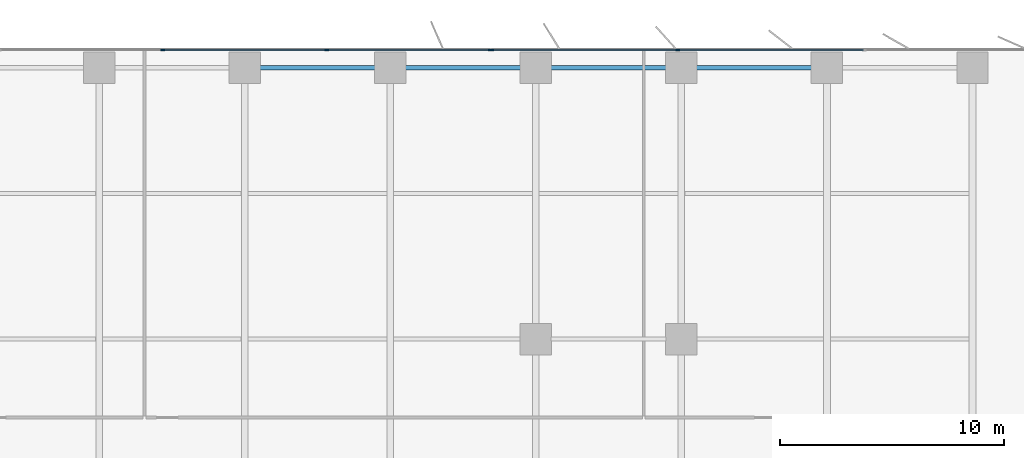
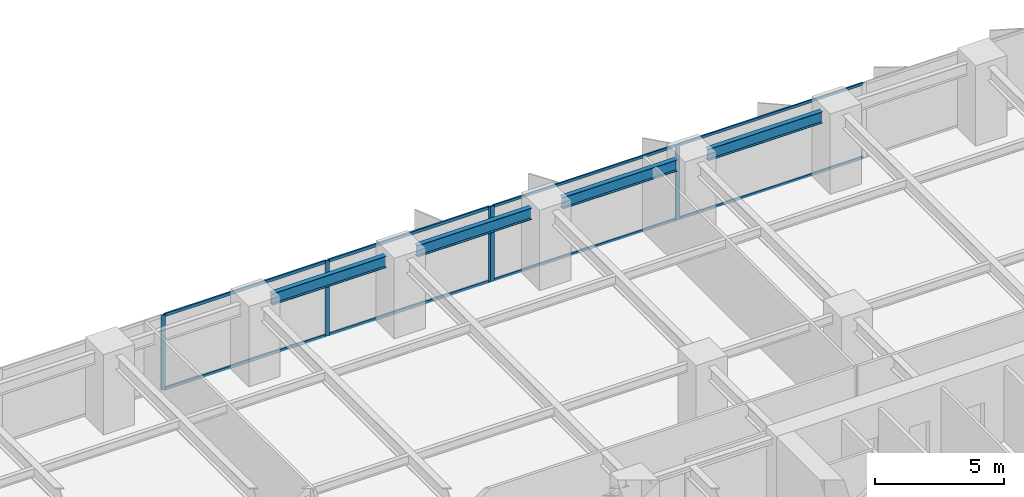
# One storey, part 9 of 20: 13 members, 4 beams, 2 elements without a shape of their own.
"""IFC4 building model written with IfcOpenShell, lengths in metres."""

from ifc_helpers import new_model, si_unit, direction, frame, origin, origin_2d, place, context, subcontext, project, spatial, rectangle, i_section, extrude, material, layer, layer_set, material_profile, profile_set, type_object, element, aggregate, save


model = new_model("IFC4")

# Units and contexts
model_context = context("Model", 3, precision=1e-05, world=origin(), true_north=direction((0.0, 1.0)))
body_context = subcontext(model_context, "Body", "Model", "MODEL_VIEW")
ifc_project = project(units=[si_unit("LENGTHUNIT", "METRE"), si_unit("AREAUNIT", "SQUARE_METRE"), si_unit("VOLUMEUNIT", "CUBIC_METRE"), si_unit("PLANEANGLEUNIT", "RADIAN"), si_unit("MASSUNIT", "GRAM", prefix="KILO")], contexts=[model_context])

# Site, building, storey
site_placement = place(None, origin())
site = spatial("IfcSite", under=ifc_project, at=site_placement, CompositionType="ELEMENT")
building_placement = place(site_placement, origin())
building = spatial("IfcBuilding", under=site, at=building_placement, Name="Putna Gate Headquarters", CompositionType="ELEMENT")
storey_placement = place(building_placement, frame((0.0, 0.0, 65.800048828125)))
storey = spatial("IfcBuildingStorey", under=building, at=storey_placement, Name="L15", CompositionType="ELEMENT", Elevation=65.800048828125)

# Beams
ifc_material_1 = material(Name="Steel S355J2", Category="steel")
ifc_material_profile_1 = material_profile(ifc_material_1, i_section(OverallWidth=0.2099609375, OverallDepth=0.550048828125, WebThickness=0.010986328125, FlangeThickness=0.01708984375, at=origin_2d()), Name="Steel S355J2")
ifc_profile_set_1 = profile_set([ifc_material_profile_1], Name="Steel S355J2")
beam_type = type_object("IfcBeamType", Name="BM-SPAN-Z1-IPE550", PredefinedType="SPANDREL", material=ifc_profile_set_1)
for number, where, z_axis, x_axis, name in (
    (1, (39.68798828125, 51.1201171875, 3.27490234375), (1.0, 0.0, 0.0), (0.0, 1.0, 0.0), "L15 N Perimeter Spandrel 6"),
    (2, (46.18798828125, 51.1201171875, 3.27490234375), (1.0, 0.0, 0.0), (0.0, 1.0, 0.0), "L15 N Perimeter Spandrel 7"),
    (3, (52.68798828125, 51.1201171875, 3.27490234375), (1.0, 0.0, 0.0), (0.0, 1.0, 0.0), "L15 N Perimeter Spandrel 8"),
    (4, (59.18798828125, 51.1201171875, 3.27490234375), (1.0, 0.0, 0.0), (0.0, 1.0, 0.0), "L15 N Perimeter Spandrel 9"),
):
    element("IfcBeam", number, at=place(storey_placement, frame(where, z_axis=z_axis, x_axis=x_axis)), inside=storey, type_object=beam_type, Name=name, PredefinedType="SPANDREL", context=body_context, shape_type="SweptSolid", body=[
        extrude(i_section(OverallWidth=0.2099609375, OverallDepth=0.550048828125, WebThickness=0.010986328125, FlangeThickness=0.01708984375, at=origin_2d()), origin(), (0.0, 0.0, 1.0), 5.1240234375),
    ])

# Curtain wall, members
ifc_material_2 = material(Name="Anodised bronze aluminium curtain wall", Category="aluminium")
ifc_layer_1 = layer(ifc_material_2, 0.179931640625)
ifc_layer_set_1 = layer_set([ifc_layer_1], Name="Anodised bronze aluminium curtain wall")
curtain_wall_type_1 = type_object("IfcCurtainWallType", Name="CW-SYS-Z1", PredefinedType="USERDEFINED", material=ifc_layer_set_1)
curtain_wall_1_placement = place(storey_placement, origin())
curtain_wall_1 = element("IfcCurtainWall", 5, at=curtain_wall_1_placement, inside=storey, type_object=curtain_wall_type_1, Name="L15 North East Curtain Wall", ObjectType="STICK CURTAIN WALL", PredefinedType="USERDEFINED")
ifc_material_3 = material(Name="Anodised bronze aluminium EN AW-6060", Category="aluminium")
ifc_material_profile_2 = material_profile(ifc_material_3, rectangle(XDim=0.070068359375, YDim=0.179931640625, at=origin_2d()), Name="Anodised bronze aluminium EN AW-6060")
ifc_profile_set_2 = profile_set([ifc_material_profile_2], Name="Anodised bronze aluminium EN AW-6060")
member_type_1 = type_object("IfcMemberType", Name="MULL-CWM-1", PredefinedType="MULLION", material=ifc_profile_set_2)
member_1_placement = place(storey_placement, frame((50.034912109375, 51.919921875, 0.0), z_axis=(0.0, 0.0, 1.0), x_axis=(0.0, 1.0, 0.0)))
member_1 = element("IfcMember", 6, at=member_1_placement, type_object=member_type_1, Name="CWS-1 mullion 1", PredefinedType="MULLION", context=body_context, shape_type="SweptSolid", body=[
    extrude(rectangle(XDim=0.070068359375, YDim=0.179931640625, at=origin_2d()), origin(), (0.0, 0.0, 1.0), 3.550048828125),
])
member_2_placement = place(storey_placement, frame((58.333251953125, 51.919921875, 0.0), z_axis=(0.0, 0.0, 1.0), x_axis=(0.0, 1.0, 0.0)))
member_2 = element("IfcMember", 7, at=member_2_placement, type_object=member_type_1, Name="CWS-1 mullion 2", PredefinedType="MULLION", context=body_context, shape_type="SweptSolid", body=[
    extrude(rectangle(XDim=0.070068359375, YDim=0.179931640625, at=origin_2d()), origin(), (0.0, 0.0, 1.0), 3.550048828125),
])

ifc_layer_2 = layer(ifc_material_2, 0.179931640625)
ifc_layer_set_2 = layer_set([ifc_layer_2], Name="Anodised bronze aluminium curtain wall")
curtain_wall_type_2 = type_object("IfcCurtainWallType", Name="CW-SYS-ATR", PredefinedType="USERDEFINED", material=ifc_layer_set_2)
curtain_wall_2_placement = place(storey_placement, origin())
curtain_wall_2 = element("IfcCurtainWall", 8, at=curtain_wall_2_placement, inside=storey, type_object=curtain_wall_type_2, Name="L15 North Atrium Clear Glazing", ObjectType="ATRIUM GLAZING", PredefinedType="USERDEFINED")
ifc_material_profile_3 = material_profile(ifc_material_3, rectangle(XDim=0.070068359375, YDim=0.179931640625, at=origin_2d()), Name="Anodised bronze aluminium EN AW-6060")
ifc_profile_set_3 = profile_set([ifc_material_profile_3], Name="Anodised bronze aluminium EN AW-6060")
member_type_2 = type_object("IfcMemberType", Name="MULL-CWM-AT", PredefinedType="MULLION", material=ifc_profile_set_3)
member_3_placement = place(storey_placement, frame((35.333251953125, 51.919921875, 0.0), z_axis=(0.0, 0.0, 1.0), x_axis=(0.0, 1.0, 0.0)))
member_3 = element("IfcMember", 9, at=member_3_placement, type_object=member_type_2, Name="CWS-AT mullion 2", PredefinedType="MULLION", context=body_context, shape_type="SweptSolid", body=[
    extrude(rectangle(XDim=0.070068359375, YDim=0.179931640625, at=origin_2d()), origin(), (0.0, 0.0, 1.0), 3.550048828125),
])
member_4_placement = place(storey_placement, frame((42.666748046875, 51.919921875, 0.0), z_axis=(0.0, 0.0, 1.0), x_axis=(0.0, 1.0, 0.0)))
member_4 = element("IfcMember", 10, at=member_4_placement, type_object=member_type_2, Name="CWS-AT mullion 3", PredefinedType="MULLION", context=body_context, shape_type="SweptSolid", body=[
    extrude(rectangle(XDim=0.070068359375, YDim=0.179931640625, at=origin_2d()), origin(), (0.0, 0.0, 1.0), 3.550048828125),
])
member_5_placement = place(storey_placement, frame((49.965087890625, 51.919921875, 0.0), z_axis=(0.0, 0.0, 1.0), x_axis=(0.0, 1.0, 0.0)))
member_5 = element("IfcMember", 11, at=member_5_placement, type_object=member_type_2, Name="CWS-AT mullion 4", PredefinedType="MULLION", context=body_context, shape_type="SweptSolid", body=[
    extrude(rectangle(XDim=0.070068359375, YDim=0.179931640625, at=origin_2d()), origin(), (0.0, 0.0, 1.0), 3.550048828125),
])

# Member
ifc_material_profile_4 = material_profile(ifc_material_3, rectangle(XDim=0.06494140625, YDim=0.1201171875, at=origin_2d()), Name="Anodised bronze aluminium EN AW-6060")
ifc_profile_set_4 = profile_set([ifc_material_profile_4], Name="Anodised bronze aluminium EN AW-6060")
member_type_3 = type_object("IfcMemberType", Name="TRAN-CWT-1", PredefinedType="USERDEFINED", material=ifc_profile_set_4)
member_6_placement = place(storey_placement, frame((50.070068359375, 51.919921875, 0.032470703125), z_axis=(1.0, 0.0, 0.0), x_axis=(0.0, 1.0, 0.0)))
member_6 = element("IfcMember", 12, at=member_6_placement, type_object=member_type_3, Name="CWS-1 transom 1.1", ObjectType="TRANSOM", PredefinedType="USERDEFINED", context=body_context, shape_type="SweptSolid", body=[
    extrude(rectangle(XDim=0.06494140625, YDim=0.1201171875, at=origin_2d()), origin(), (0.0, 0.0, 1.0), 8.228271484375),
])

member_7_placement = place(storey_placement, frame((50.070068359375, 51.919921875, 3.517333984375), z_axis=(1.0, 0.0, 0.0), x_axis=(0.0, 1.0, 0.0)))
member_7 = element("IfcMember", 13, at=member_7_placement, type_object=member_type_3, Name="CWS-1 transom 1.2", ObjectType="TRANSOM", PredefinedType="USERDEFINED", context=body_context, shape_type="SweptSolid", body=[
    extrude(rectangle(XDim=0.06494140625, YDim=0.1201171875, at=origin_2d()), origin(), (0.0, 0.0, 1.0), 8.228271484375),
])

member_8_placement = place(storey_placement, frame((58.368408203125, 51.919921875, 0.032470703125), z_axis=(1.0, 0.0, 0.0), x_axis=(0.0, 1.0, 0.0)))
member_8 = element("IfcMember", 14, at=member_8_placement, type_object=member_type_3, Name="CWS-1 transom 2.1", ObjectType="TRANSOM", PredefinedType="USERDEFINED", context=body_context, shape_type="SweptSolid", body=[
    extrude(rectangle(XDim=0.06494140625, YDim=0.1201171875, at=origin_2d()), origin(), (0.0, 0.0, 1.0), 8.26318359375),
])

member_9_placement = place(storey_placement, frame((58.368408203125, 51.919921875, 3.517333984375), z_axis=(1.0, 0.0, 0.0), x_axis=(0.0, 1.0, 0.0)))
member_9 = element("IfcMember", 15, at=member_9_placement, type_object=member_type_3, Name="CWS-1 transom 2.2", ObjectType="TRANSOM", PredefinedType="USERDEFINED", context=body_context, shape_type="SweptSolid", body=[
    extrude(rectangle(XDim=0.06494140625, YDim=0.1201171875, at=origin_2d()), origin(), (0.0, 0.0, 1.0), 8.26318359375),
])

aggregate(curtain_wall_1, [member_1, member_2, member_6, member_7, member_8, member_9])

ifc_material_profile_5 = material_profile(ifc_material_3, rectangle(XDim=0.070068359375, YDim=0.139892578125, at=origin_2d()), Name="Anodised bronze aluminium EN AW-6060")
ifc_profile_set_5 = profile_set([ifc_material_profile_5], Name="Anodised bronze aluminium EN AW-6060")
member_type_4 = type_object("IfcMemberType", Name="TRAN-CWT-AT", PredefinedType="USERDEFINED", material=ifc_profile_set_5)
member_10_placement = place(storey_placement, frame((35.368408203125, 51.919921875, 0.034912109375), z_axis=(1.0, 0.0, 0.0), x_axis=(0.0, 1.0, 0.0)))
member_10 = element("IfcMember", 16, at=member_10_placement, type_object=member_type_4, Name="CWS-AT transom 2.1", ObjectType="TRANSOM", PredefinedType="USERDEFINED", context=body_context, shape_type="SweptSolid", body=[
    extrude(rectangle(XDim=0.070068359375, YDim=0.139892578125, at=origin_2d()), origin(), (0.0, 0.0, 1.0), 7.26318359375),
])

member_11_placement = place(storey_placement, frame((35.368408203125, 51.919921875, 3.514892578125), z_axis=(1.0, 0.0, 0.0), x_axis=(0.0, 1.0, 0.0)))
member_11 = element("IfcMember", 17, at=member_11_placement, type_object=member_type_4, Name="CWS-AT transom 2.2", ObjectType="TRANSOM", PredefinedType="USERDEFINED", context=body_context, shape_type="SweptSolid", body=[
    extrude(rectangle(XDim=0.070068359375, YDim=0.139892578125, at=origin_2d()), origin(), (0.0, 0.0, 1.0), 7.26318359375),
])

member_12_placement = place(storey_placement, frame((42.70166015625, 51.919921875, 0.034912109375), z_axis=(1.0, 0.0, 0.0), x_axis=(0.0, 1.0, 0.0)))
member_12 = element("IfcMember", 18, at=member_12_placement, type_object=member_type_4, Name="CWS-AT transom 3.1", ObjectType="TRANSOM", PredefinedType="USERDEFINED", context=body_context, shape_type="SweptSolid", body=[
    extrude(rectangle(XDim=0.070068359375, YDim=0.139892578125, at=origin_2d()), origin(), (0.0, 0.0, 1.0), 7.228271484375),
])

member_13_placement = place(storey_placement, frame((42.70166015625, 51.919921875, 3.514892578125), z_axis=(1.0, 0.0, 0.0), x_axis=(0.0, 1.0, 0.0)))
member_13 = element("IfcMember", 19, at=member_13_placement, type_object=member_type_4, Name="CWS-AT transom 3.2", ObjectType="TRANSOM", PredefinedType="USERDEFINED", context=body_context, shape_type="SweptSolid", body=[
    extrude(rectangle(XDim=0.070068359375, YDim=0.139892578125, at=origin_2d()), origin(), (0.0, 0.0, 1.0), 7.228271484375),
])

aggregate(curtain_wall_2, [member_3, member_4, member_5, member_10, member_11, member_12, member_13])

save(model, "model.ifc")
